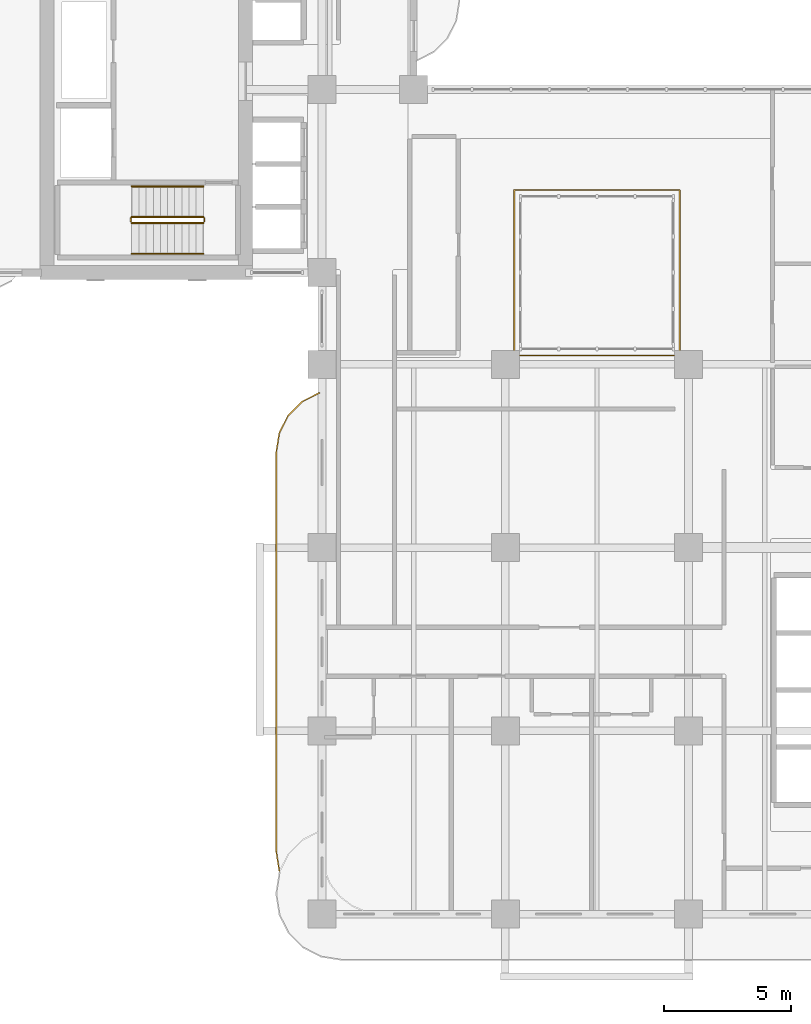
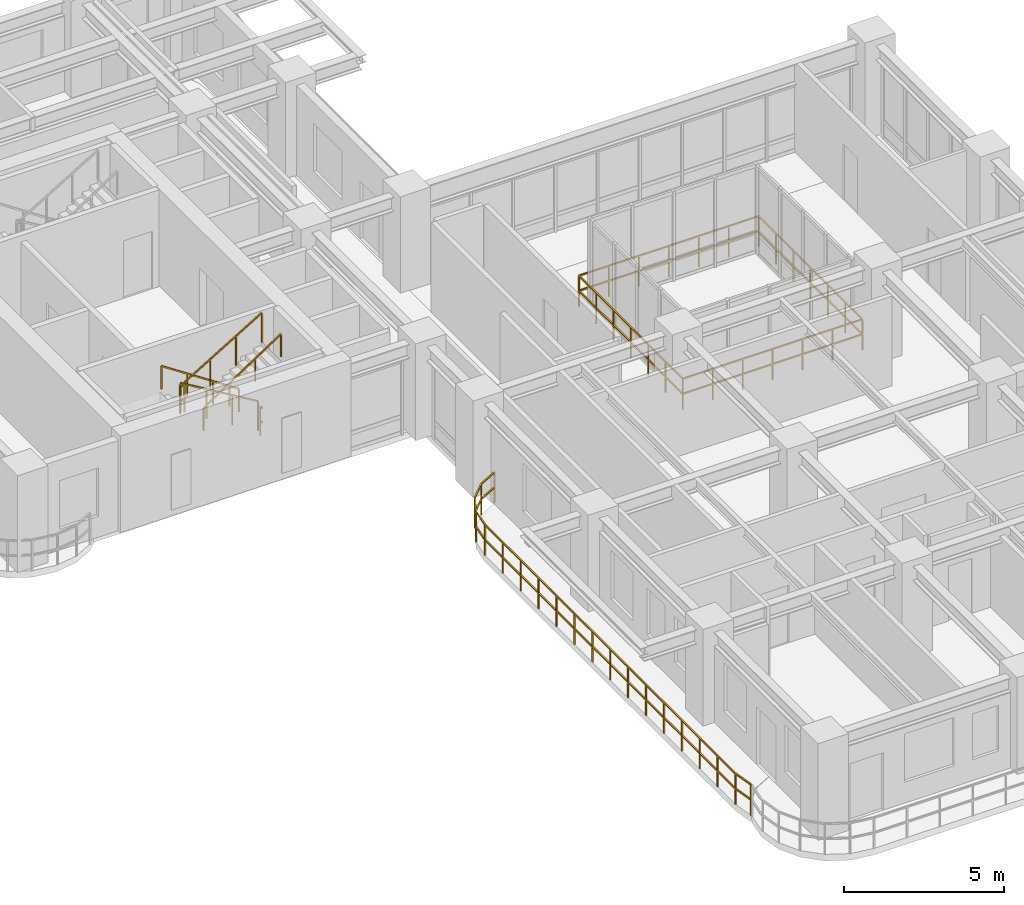
# One storey, part 18 of 22: 8 railings.
"""IFC4 building model written with IfcOpenShell, lengths in metres."""

from ifc_helpers import new_model, si_unit, derived_unit, direction, frame, origin, origin_2d, place, context, subcontext, project, spatial, rectangle, extrude, material, type_object, element, save


model = new_model("IFC4")

# Units and contexts
model_context = context("Model", 3, precision=1e-05, world=origin(), true_north=direction((0.0, 1.0)))
body_context = subcontext(model_context, "Body", "Model", "MODEL_VIEW")
ifc_project = project(units=[si_unit("LENGTHUNIT", "METRE"), si_unit("AREAUNIT", "SQUARE_METRE"), si_unit("VOLUMEUNIT", "CUBIC_METRE"), si_unit("PLANEANGLEUNIT", "RADIAN"), si_unit("MASSUNIT", "GRAM", prefix="KILO"), si_unit("THERMODYNAMICTEMPERATUREUNIT", "KELVIN"), si_unit("POWERUNIT", "WATT"), derived_unit("THERMALTRANSMITTANCEUNIT", [(si_unit("POWERUNIT", "WATT"), 1), (si_unit("AREAUNIT", "SQUARE_METRE"), -1), (si_unit("THERMODYNAMICTEMPERATUREUNIT", "KELVIN"), -1)])], contexts=[model_context])

# Site, building, storey
site_placement = place(None, origin())
site = spatial("IfcSite", under=ifc_project, at=site_placement, CompositionType="ELEMENT")
building_placement = place(site_placement, origin())
building = spatial("IfcBuilding", under=site, at=building_placement, Name="Zahravan Archway Hotel and Residences", CompositionType="ELEMENT")
storey_placement = place(building_placement, frame((0.0, 0.0, 80.5)))
storey = spatial("IfcBuildingStorey", under=building, at=storey_placement, Name="L19", CompositionType="ELEMENT", Elevation=80.5)

# Railings
ifc_material_1 = material(Name="Atrium Laminated Glass Guardrail", Category="glass")
railing_type_1 = type_object("IfcRailingType", Name="RL-ATR-1200", PredefinedType="BALUSTRADE", material=ifc_material_1)
railing_1_placement = place(storey_placement, frame((21.949951171875, 21.949951171875, 0.0)))
element("IfcRailing", 1, at=railing_1_placement, inside=storey, type_object=railing_type_1, Name="L19 Balustrade RL-ATR-L19", PredefinedType="BALUSTRADE", context=body_context, shape_type="SweptSolid", body=[
    extrude(rectangle(XDim=0.048095703125, YDim=0.048095703125, at=origin_2d()), frame((0.0, 0.0, 1.17578125), z_axis=(1.0, 0.0, 0.0), x_axis=(0.0, 1.0, 0.0)), (0.0, 0.0, 1.0), 6.5),
    extrude(rectangle(XDim=0.048095703125, YDim=0.048095703125, at=origin_2d()), frame((0.0, 0.0, 0.60009765625), z_axis=(1.0, 0.0, 0.0), x_axis=(0.0, 1.0, 0.0)), (0.0, 0.0, 1.0), 6.5),
    extrude(rectangle(XDim=0.048095703125, YDim=0.048095703125, at=origin_2d()), frame((6.5, 0.0, 1.17578125), z_axis=(0.0, 1.0, 0.0), x_axis=(-1.0, 0.0, 0.0)), (0.0, 0.0, 1.0), 6.5),
    extrude(rectangle(XDim=0.048095703125, YDim=0.048095703125, at=origin_2d()), frame((6.5, 0.0, 0.60009765625), z_axis=(0.0, 1.0, 0.0), x_axis=(-1.0, 0.0, 0.0)), (0.0, 0.0, 1.0), 6.5),
    extrude(rectangle(XDim=0.048095703125, YDim=0.048095703125, at=origin_2d()), frame((6.5, 6.5, 1.17578125), z_axis=(-1.0, 0.0, 0.0), x_axis=(0.0, -1.0, 0.0)), (0.0, 0.0, 1.0), 6.5),
    extrude(rectangle(XDim=0.048095703125, YDim=0.048095703125, at=origin_2d()), frame((6.5, 6.5, 0.60009765625), z_axis=(-1.0, 0.0, 0.0), x_axis=(0.0, -1.0, 0.0)), (0.0, 0.0, 1.0), 6.5),
    extrude(rectangle(XDim=0.048095703125, YDim=0.048095703125, at=origin_2d()), frame((0.0, 6.5, 1.17578125), z_axis=(0.0, -1.0, 0.0), x_axis=(1.0, 0.0, 0.0)), (0.0, 0.0, 1.0), 6.5),
    extrude(rectangle(XDim=0.048095703125, YDim=0.048095703125, at=origin_2d()), frame((0.0, 6.5, 0.60009765625), z_axis=(0.0, -1.0, 0.0), x_axis=(1.0, 0.0, 0.0)), (0.0, 0.0, 1.0), 6.5),
    extrude(rectangle(XDim=0.0419921875, YDim=0.0419921875, at=origin_2d()), origin(), (0.0, 0.0, 1.0), 1.15185546875),
    extrude(rectangle(XDim=0.0419921875, YDim=0.0419921875, at=origin_2d()), frame((1.083251953125, 0.0, 0.0)), (0.0, 0.0, 1.0), 1.15185546875),
    extrude(rectangle(XDim=0.0419921875, YDim=0.0419921875, at=origin_2d()), frame((2.166748046875, 0.0, 0.0)), (0.0, 0.0, 1.0), 1.15185546875),
    extrude(rectangle(XDim=0.0419921875, YDim=0.0419921875, at=origin_2d()), frame((3.25, 0.0, 0.0)), (0.0, 0.0, 1.0), 1.15185546875),
    extrude(rectangle(XDim=0.0419921875, YDim=0.0419921875, at=origin_2d()), frame((4.333251953125, 0.0, 0.0)), (0.0, 0.0, 1.0), 1.15185546875),
    extrude(rectangle(XDim=0.0419921875, YDim=0.0419921875, at=origin_2d()), frame((5.416748046875, 0.0, 0.0)), (0.0, 0.0, 1.0), 1.15185546875),
    extrude(rectangle(XDim=0.0419921875, YDim=0.0419921875, at=origin_2d()), frame((6.5, 0.0, 0.0)), (0.0, 0.0, 1.0), 1.15185546875),
    extrude(rectangle(XDim=0.0419921875, YDim=0.0419921875, at=origin_2d()), frame((6.5, 1.083251953125, 0.0)), (0.0, 0.0, 1.0), 1.15185546875),
    extrude(rectangle(XDim=0.0419921875, YDim=0.0419921875, at=origin_2d()), frame((6.5, 2.166748046875, 0.0)), (0.0, 0.0, 1.0), 1.15185546875),
    extrude(rectangle(XDim=0.0419921875, YDim=0.0419921875, at=origin_2d()), frame((6.5, 3.25, 0.0)), (0.0, 0.0, 1.0), 1.15185546875),
    extrude(rectangle(XDim=0.0419921875, YDim=0.0419921875, at=origin_2d()), frame((6.5, 4.333251953125, 0.0)), (0.0, 0.0, 1.0), 1.15185546875),
    extrude(rectangle(XDim=0.0419921875, YDim=0.0419921875, at=origin_2d()), frame((6.5, 5.416748046875, 0.0)), (0.0, 0.0, 1.0), 1.15185546875),
    extrude(rectangle(XDim=0.0419921875, YDim=0.0419921875, at=origin_2d()), frame((6.5, 6.5, 0.0)), (0.0, 0.0, 1.0), 1.15185546875),
    extrude(rectangle(XDim=0.0419921875, YDim=0.0419921875, at=origin_2d()), frame((5.416748046875, 6.5, 0.0)), (0.0, 0.0, 1.0), 1.15185546875),
    extrude(rectangle(XDim=0.0419921875, YDim=0.0419921875, at=origin_2d()), frame((4.333251953125, 6.5, 0.0)), (0.0, 0.0, 1.0), 1.15185546875),
    extrude(rectangle(XDim=0.0419921875, YDim=0.0419921875, at=origin_2d()), frame((3.25, 6.5, 0.0)), (0.0, 0.0, 1.0), 1.15185546875),
    extrude(rectangle(XDim=0.0419921875, YDim=0.0419921875, at=origin_2d()), frame((2.166748046875, 6.5, 0.0)), (0.0, 0.0, 1.0), 1.15185546875),
    extrude(rectangle(XDim=0.0419921875, YDim=0.0419921875, at=origin_2d()), frame((1.083251953125, 6.5, 0.0)), (0.0, 0.0, 1.0), 1.15185546875),
    extrude(rectangle(XDim=0.0419921875, YDim=0.0419921875, at=origin_2d()), frame((0.0, 6.5, 0.0)), (0.0, 0.0, 1.0), 1.15185546875),
    extrude(rectangle(XDim=0.0419921875, YDim=0.0419921875, at=origin_2d()), frame((0.0, 5.416748046875, 0.0)), (0.0, 0.0, 1.0), 1.15185546875),
    extrude(rectangle(XDim=0.0419921875, YDim=0.0419921875, at=origin_2d()), frame((0.0, 4.333251953125, 0.0)), (0.0, 0.0, 1.0), 1.15185546875),
    extrude(rectangle(XDim=0.0419921875, YDim=0.0419921875, at=origin_2d()), frame((0.0, 3.25, 0.0)), (0.0, 0.0, 1.0), 1.15185546875),
    extrude(rectangle(XDim=0.0419921875, YDim=0.0419921875, at=origin_2d()), frame((0.0, 2.166748046875, 0.0)), (0.0, 0.0, 1.0), 1.15185546875),
    extrude(rectangle(XDim=0.0419921875, YDim=0.0419921875, at=origin_2d()), frame((0.0, 1.083251953125, 0.0)), (0.0, 0.0, 1.0), 1.15185546875),
])
ifc_material_2 = material(Name="Bronze & Laminated Glass Balustrade", Category="glass")
railing_type_2 = type_object("IfcRailingType", Name="RL-BAL-1200", PredefinedType="BALUSTRADE", material=ifc_material_2)
railing_2_placement = place(storey_placement, frame((12.719970703125, 1.69287109375, 0.0)))
element("IfcRailing", 2, at=railing_2_placement, inside=storey, type_object=railing_type_2, Name="L19 Balustrade RL-SLB-BAL-L19-WA-1", PredefinedType="BALUSTRADE", context=body_context, shape_type="SweptSolid", body=[
    extrude(rectangle(XDim=0.048095703125, YDim=0.048095703125, at=origin_2d()), frame((0.0, 0.0, 1.17578125), z_axis=(-0.156387811283, 0.987695728695, 0.0), x_axis=(-0.987695728695, -0.156387811283, 0.0)), (0.0, 0.0, 1.0), 0.7666015625),
    extrude(rectangle(XDim=0.048095703125, YDim=0.048095703125, at=origin_2d()), frame((0.0, 0.0, 0.60009765625), z_axis=(-0.156387811283, 0.987695728695, 0.0), x_axis=(-0.987695728695, -0.156387811283, 0.0)), (0.0, 0.0, 1.0), 0.7666015625),
    extrude(rectangle(XDim=0.048095703125, YDim=0.048095703125, at=origin_2d()), frame((-0.119873046875, 0.757080078125, 1.17578125), z_axis=(0.0, 1.0, 0.0), x_axis=(-1.0, 0.0, 0.0)), (0.0, 0.0, 1.0), 15.699951171875),
    extrude(rectangle(XDim=0.048095703125, YDim=0.048095703125, at=origin_2d()), frame((-0.119873046875, 0.757080078125, 0.60009765625), z_axis=(0.0, 1.0, 0.0), x_axis=(-1.0, 0.0, 0.0)), (0.0, 0.0, 1.0), 15.699951171875),
    extrude(rectangle(XDim=0.048095703125, YDim=0.048095703125, at=origin_2d()), frame((-0.119873046875, 16.45703125, 1.17578125), z_axis=(0.156387811283, 0.987695728695, 0.0), x_axis=(-0.987695728695, 0.156387811283, 0.0)), (0.0, 0.0, 1.0), 0.7666015625),
    extrude(rectangle(XDim=0.048095703125, YDim=0.048095703125, at=origin_2d()), frame((-0.119873046875, 16.45703125, 0.60009765625), z_axis=(0.156387811283, 0.987695728695, 0.0), x_axis=(-0.987695728695, 0.156387811283, 0.0)), (0.0, 0.0, 1.0), 0.7666015625),
    extrude(rectangle(XDim=0.048095703125, YDim=0.048095703125, at=origin_2d()), frame((0.0, 17.214111328125, 1.17578125), z_axis=(0.453825591531, 0.891090529897, 0.0), x_axis=(-0.891090529897, 0.453825591531, 0.0)), (0.0, 0.0, 1.0), 0.7666015625),
    extrude(rectangle(XDim=0.048095703125, YDim=0.048095703125, at=origin_2d()), frame((0.0, 17.214111328125, 0.60009765625), z_axis=(0.453825591531, 0.891090529897, 0.0), x_axis=(-0.891090529897, 0.453825591531, 0.0)), (0.0, 0.0, 1.0), 0.7666015625),
    extrude(rectangle(XDim=0.048095703125, YDim=0.048095703125, at=origin_2d()), frame((0.347900390625, 17.897216796875, 1.17578125), z_axis=(0.707106781187, 0.707106781187, 0.0), x_axis=(-0.707106781187, 0.707106781187, 0.0)), (0.0, 0.0, 1.0), 0.7666015625),
    extrude(rectangle(XDim=0.048095703125, YDim=0.048095703125, at=origin_2d()), frame((0.347900390625, 17.897216796875, 0.60009765625), z_axis=(0.707106781187, 0.707106781187, 0.0), x_axis=(-0.707106781187, 0.707106781187, 0.0)), (0.0, 0.0, 1.0), 0.7666015625),
    extrude(rectangle(XDim=0.048095703125, YDim=0.048095703125, at=origin_2d()), frame((0.889892578125, 18.439208984375, 1.17578125), z_axis=(0.891090529897, 0.453825591531, 0.0), x_axis=(-0.453825591531, 0.891090529897, 0.0)), (0.0, 0.0, 1.0), 0.7666015625),
    extrude(rectangle(XDim=0.048095703125, YDim=0.048095703125, at=origin_2d()), frame((0.889892578125, 18.439208984375, 0.60009765625), z_axis=(0.891090529897, 0.453825591531, 0.0), x_axis=(-0.453825591531, 0.891090529897, 0.0)), (0.0, 0.0, 1.0), 0.7666015625),
    extrude(rectangle(XDim=0.0419921875, YDim=0.0419921875, at=origin_2d()), origin(), (0.0, 0.0, 1.0), 1.15185546875),
    extrude(rectangle(XDim=0.0419921875, YDim=0.0419921875, at=origin_2d()), frame((-0.119873046875, 0.757080078125, 0.0)), (0.0, 0.0, 1.0), 1.15185546875),
    extrude(rectangle(XDim=0.0419921875, YDim=0.0419921875, at=origin_2d()), frame((-0.119873046875, 1.87841796875, 0.0)), (0.0, 0.0, 1.0), 1.15185546875),
    extrude(rectangle(XDim=0.0419921875, YDim=0.0419921875, at=origin_2d()), frame((-0.119873046875, 3.0, 0.0)), (0.0, 0.0, 1.0), 1.15185546875),
    extrude(rectangle(XDim=0.0419921875, YDim=0.0419921875, at=origin_2d()), frame((-0.119873046875, 4.121337890625, 0.0)), (0.0, 0.0, 1.0), 1.15185546875),
    extrude(rectangle(XDim=0.0419921875, YDim=0.0419921875, at=origin_2d()), frame((-0.119873046875, 5.24267578125, 0.0)), (0.0, 0.0, 1.0), 1.15185546875),
    extrude(rectangle(XDim=0.0419921875, YDim=0.0419921875, at=origin_2d()), frame((-0.119873046875, 6.3642578125, 0.0)), (0.0, 0.0, 1.0), 1.15185546875),
    extrude(rectangle(XDim=0.0419921875, YDim=0.0419921875, at=origin_2d()), frame((-0.119873046875, 7.485595703125, 0.0)), (0.0, 0.0, 1.0), 1.15185546875),
    extrude(rectangle(XDim=0.0419921875, YDim=0.0419921875, at=origin_2d()), frame((-0.119873046875, 8.60693359375, 0.0)), (0.0, 0.0, 1.0), 1.15185546875),
    extrude(rectangle(XDim=0.0419921875, YDim=0.0419921875, at=origin_2d()), frame((-0.119873046875, 9.728515625, 0.0)), (0.0, 0.0, 1.0), 1.15185546875),
    extrude(rectangle(XDim=0.0419921875, YDim=0.0419921875, at=origin_2d()), frame((-0.119873046875, 10.849853515625, 0.0)), (0.0, 0.0, 1.0), 1.15185546875),
    extrude(rectangle(XDim=0.0419921875, YDim=0.0419921875, at=origin_2d()), frame((-0.119873046875, 11.971435546875, 0.0)), (0.0, 0.0, 1.0), 1.15185546875),
    extrude(rectangle(XDim=0.0419921875, YDim=0.0419921875, at=origin_2d()), frame((-0.119873046875, 13.0927734375, 0.0)), (0.0, 0.0, 1.0), 1.15185546875),
    extrude(rectangle(XDim=0.0419921875, YDim=0.0419921875, at=origin_2d()), frame((-0.119873046875, 14.214111328125, 0.0)), (0.0, 0.0, 1.0), 1.15185546875),
    extrude(rectangle(XDim=0.0419921875, YDim=0.0419921875, at=origin_2d()), frame((-0.119873046875, 15.335693359375, 0.0)), (0.0, 0.0, 1.0), 1.15185546875),
    extrude(rectangle(XDim=0.0419921875, YDim=0.0419921875, at=origin_2d()), frame((-0.119873046875, 16.45703125, 0.0)), (0.0, 0.0, 1.0), 1.15185546875),
    extrude(rectangle(XDim=0.0419921875, YDim=0.0419921875, at=origin_2d()), frame((0.0, 17.214111328125, 0.0)), (0.0, 0.0, 1.0), 1.15185546875),
    extrude(rectangle(XDim=0.0419921875, YDim=0.0419921875, at=origin_2d()), frame((0.347900390625, 17.897216796875, 0.0)), (0.0, 0.0, 1.0), 1.15185546875),
    extrude(rectangle(XDim=0.0419921875, YDim=0.0419921875, at=origin_2d()), frame((0.889892578125, 18.439208984375, 0.0)), (0.0, 0.0, 1.0), 1.15185546875),
    extrude(rectangle(XDim=0.0419921875, YDim=0.0419921875, at=origin_2d()), frame((1.572998046875, 18.787109375, 0.0)), (0.0, 0.0, 1.0), 1.15185546875),
])
ifc_material_3 = material(Name="Painted Tubular Steel", Category="steel")
railing_type_3 = type_object("IfcRailingType", Name="RL-STG-1150", PredefinedType="GUARDRAIL", material=ifc_material_3)
railing_3_placement = place(storey_placement, frame((9.72998046875, 27.389892578125, 0.168212890625)))
element("IfcRailing", 3, at=railing_3_placement, inside=storey, type_object=railing_type_3, Name="L19 ST-B1 stair guard 1", PredefinedType="GUARDRAIL", context=body_context, shape_type="SweptSolid", body=[
    extrude(rectangle(XDim=0.048095703125, YDim=0.048095703125, at=origin_2d()), frame((0.0, 0.0, 1.1259765625), z_axis=(-0.857242210791, 0.0, 0.514913383045), x_axis=(0.0, -1.0, 0.0)), (0.0, 0.0, 1.0), 3.266357421875),
    extrude(rectangle(XDim=0.0419921875, YDim=0.0419921875, at=origin_2d()), origin(), (0.0, 0.0, 1.0), 1.101806640625),
    extrude(rectangle(XDim=0.0419921875, YDim=0.0419921875, at=origin_2d()), frame((-0.933349609375, 0.0, 0.560546875)), (0.0, 0.0, 1.0), 1.101806640625),
    extrude(rectangle(XDim=0.0419921875, YDim=0.0419921875, at=origin_2d()), frame((-1.86669921875, 0.0, 1.121337890625)), (0.0, 0.0, 1.0), 1.101806640625),
    extrude(rectangle(XDim=0.0419921875, YDim=0.0419921875, at=origin_2d()), frame((-2.800048828125, 0.0, 1.681884765625)), (0.0, 0.0, 1.0), 1.101806640625),
])
railing_4_placement = place(storey_placement, frame((6.8798828125, 27.340087890625, 1.85009765625)))
element("IfcRailing", 4, at=railing_4_placement, inside=storey, type_object=railing_type_3, Name="L19 ST-B1 stair guard 2", PredefinedType="GUARDRAIL", context=body_context, shape_type="SweptSolid", body=[
    extrude(rectangle(XDim=0.048095703125, YDim=0.048095703125, at=origin_2d()), frame((0.0, 0.0, 1.1259765625), z_axis=(0.0, -1.0, 0.0), x_axis=(1.0, 0.0, 0.0)), (0.0, 0.0, 1.0), 0.14013671875),
    extrude(rectangle(XDim=0.048095703125, YDim=0.048095703125, at=origin_2d()), frame((0.0, 0.0, 0.574951171875), z_axis=(0.0, -1.0, 0.0), x_axis=(1.0, 0.0, 0.0)), (0.0, 0.0, 1.0), 0.14013671875),
    extrude(rectangle(XDim=0.0419921875, YDim=0.0419921875, at=origin_2d()), origin(), (0.0, 0.0, 1.0), 1.101806640625),
])
railing_5_placement = place(storey_placement, frame((6.929931640625, 27.14990234375, 2.01806640625)))
element("IfcRailing", 5, at=railing_5_placement, inside=storey, type_object=railing_type_3, Name="L19 ST-B1 stair guard 3", PredefinedType="GUARDRAIL", context=body_context, shape_type="SweptSolid", body=[
    extrude(rectangle(XDim=0.048095703125, YDim=0.048095703125, at=origin_2d()), frame((0.0, 0.0, 1.1259765625), z_axis=(0.857242210791, 0.0, 0.514913383045), x_axis=(0.0, 1.0, 0.0)), (0.0, 0.0, 1.0), 3.266357421875),
    extrude(rectangle(XDim=0.0419921875, YDim=0.0419921875, at=origin_2d()), origin(), (0.0, 0.0, 1.0), 1.101806640625),
    extrude(rectangle(XDim=0.0419921875, YDim=0.0419921875, at=origin_2d()), frame((0.933349609375, 0.0, 0.560546875)), (0.0, 0.0, 1.0), 1.101806640625),
    extrude(rectangle(XDim=0.0419921875, YDim=0.0419921875, at=origin_2d()), frame((1.86669921875, 0.0, 1.121337890625)), (0.0, 0.0, 1.0), 1.101806640625),
    extrude(rectangle(XDim=0.0419921875, YDim=0.0419921875, at=origin_2d()), frame((2.800048828125, 0.0, 1.681884765625)), (0.0, 0.0, 1.0), 1.101806640625),
])
railing_6_placement = place(storey_placement, frame((9.780029296875, 27.340087890625, 0.0)))
element("IfcRailing", 6, at=railing_6_placement, inside=storey, type_object=railing_type_3, Name="L19 ST-B1 stair guard 4", PredefinedType="GUARDRAIL", context=body_context, shape_type="SweptSolid", body=[
    extrude(rectangle(XDim=0.048095703125, YDim=0.048095703125, at=origin_2d()), frame((0.0, 0.0, 1.1259765625), z_axis=(0.0, -1.0, 0.0), x_axis=(1.0, 0.0, 0.0)), (0.0, 0.0, 1.0), 0.14013671875),
    extrude(rectangle(XDim=0.048095703125, YDim=0.048095703125, at=origin_2d()), frame((0.0, 0.0, 0.574951171875), z_axis=(0.0, -1.0, 0.0), x_axis=(1.0, 0.0, 0.0)), (0.0, 0.0, 1.0), 0.14013671875),
    extrude(rectangle(XDim=0.0419921875, YDim=0.0419921875, at=origin_2d()), origin(), (0.0, 0.0, 1.0), 1.101806640625),
])
ifc_material_4 = material(Name="Brushed Stainless Steel", Category="steel")
railing_type_4 = type_object("IfcRailingType", Name="RL-STH-900", PredefinedType="HANDRAIL", material=ifc_material_4)
railing_7_placement = place(storey_placement, frame((9.72998046875, 28.590087890625, 0.168212890625)))
element("IfcRailing", 7, at=railing_7_placement, inside=storey, type_object=railing_type_4, Name="L19 ST-B1 stair handrail 1", PredefinedType="HANDRAIL", context=body_context, shape_type="SweptSolid", body=[
    extrude(rectangle(XDim=0.048095703125, YDim=0.048095703125, at=origin_2d()), frame((0.0, 0.0, 0.8759765625), z_axis=(-0.83435981716, 0.0, 0.551220187865), x_axis=(0.0, -1.0, 0.0)), (0.0, 0.0, 1.0), 3.35595703125),
    extrude(rectangle(XDim=0.0419921875, YDim=0.0419921875, at=origin_2d()), origin(), (0.0, 0.0, 1.0), 0.851806640625),
    extrude(rectangle(XDim=0.0419921875, YDim=0.0419921875, at=origin_2d()), frame((-0.933349609375, 0.0, 0.61669921875)), (0.0, 0.0, 1.0), 0.851806640625),
    extrude(rectangle(XDim=0.0419921875, YDim=0.0419921875, at=origin_2d()), frame((-1.86669921875, 0.0, 1.233154296875)), (0.0, 0.0, 1.0), 0.851806640625),
    extrude(rectangle(XDim=0.0419921875, YDim=0.0419921875, at=origin_2d()), frame((-2.800048828125, 0.0, 1.849853515625)), (0.0, 0.0, 1.0), 0.851806640625),
])
railing_8_placement = place(storey_placement, frame((6.929931640625, 25.949951171875, 2.01806640625)))
element("IfcRailing", 8, at=railing_8_placement, inside=storey, type_object=railing_type_4, Name="L19 ST-B1 stair handrail 2", PredefinedType="HANDRAIL", context=body_context, shape_type="SweptSolid", body=[
    extrude(rectangle(XDim=0.048095703125, YDim=0.048095703125, at=origin_2d()), frame((0.0, 0.0, 0.8759765625), z_axis=(0.834326358476, 0.0, 0.551270829586), x_axis=(0.0, 1.0, 0.0)), (0.0, 0.0, 1.0), 3.35595703125),
    extrude(rectangle(XDim=0.0419921875, YDim=0.0419921875, at=origin_2d()), origin(), (0.0, 0.0, 1.0), 0.851806640625),
    extrude(rectangle(XDim=0.0419921875, YDim=0.0419921875, at=origin_2d()), frame((0.933349609375, 0.0, 0.61669921875)), (0.0, 0.0, 1.0), 0.851806640625),
    extrude(rectangle(XDim=0.0419921875, YDim=0.0419921875, at=origin_2d()), frame((1.86669921875, 0.0, 1.2333984375)), (0.0, 0.0, 1.0), 0.851806640625),
    extrude(rectangle(XDim=0.0419921875, YDim=0.0419921875, at=origin_2d()), frame((2.800048828125, 0.0, 1.85009765625)), (0.0, 0.0, 1.0), 0.851806640625),
])

save(model, "model.ifc")
